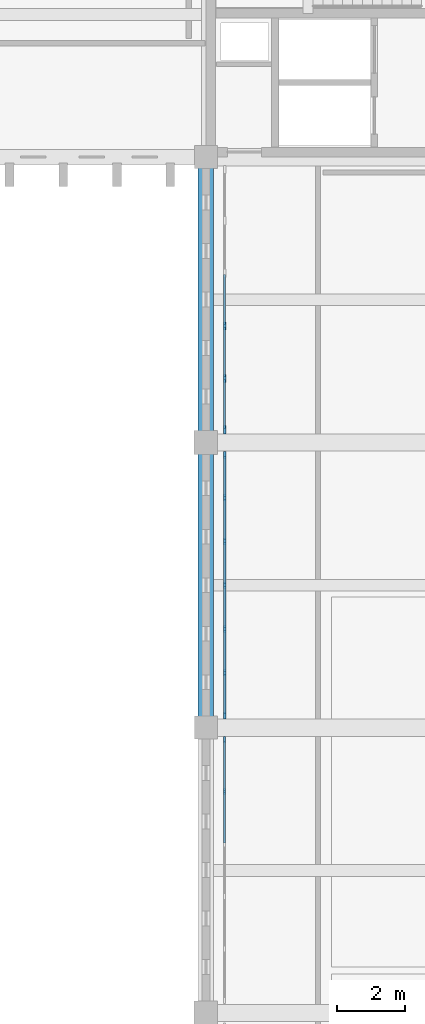
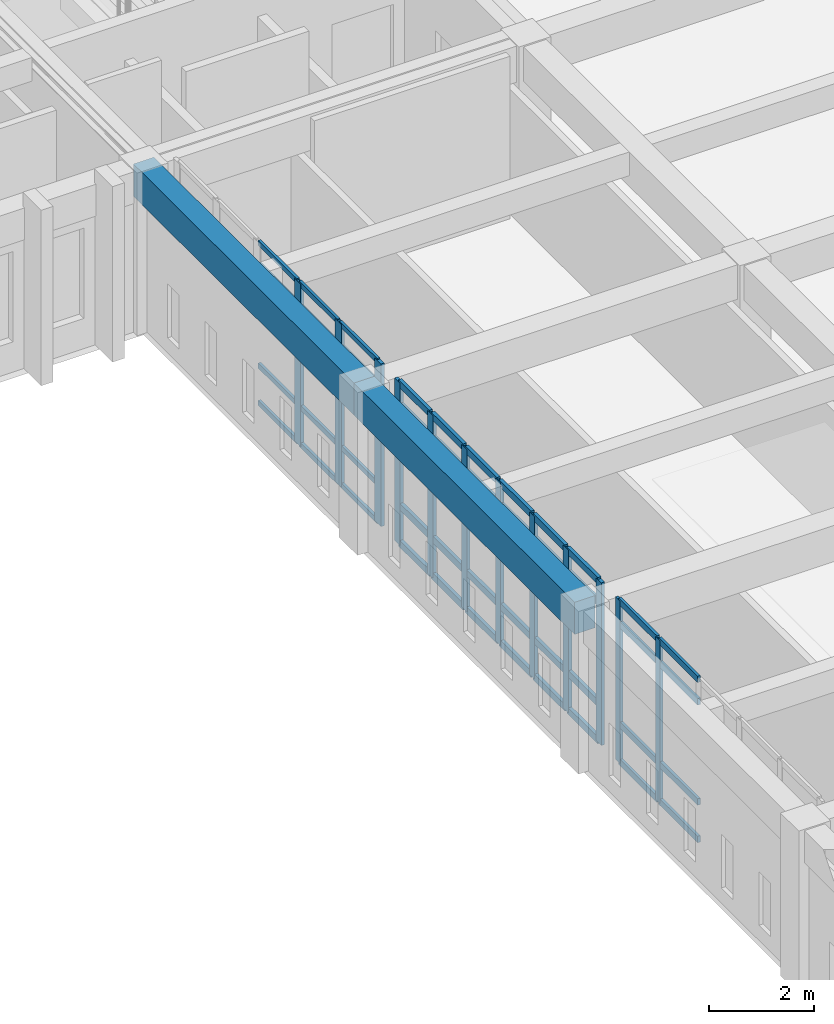
# One storey, part 33 of 110: 56 members, 2 beams, 3 elements without a shape of their own.
"""IFC4 building model written with IfcOpenShell, lengths in metres."""

from ifc_helpers import new_model, si_unit, direction, frame, origin, origin_2d, place, context, subcontext, project, spatial, rectangle, extrude, material, layer, layer_set, material_profile, profile_set, type_object, element, aggregate, save


model = new_model("IFC4")

# Units and contexts
model_context = context("Model", 3, precision=1e-05, world=origin(), true_north=direction((0.0, 1.0)))
body_context = subcontext(model_context, "Body", "Model", "MODEL_VIEW")
ifc_project = project(units=[si_unit("LENGTHUNIT", "METRE"), si_unit("AREAUNIT", "SQUARE_METRE"), si_unit("VOLUMEUNIT", "CUBIC_METRE"), si_unit("PLANEANGLEUNIT", "RADIAN"), si_unit("MASSUNIT", "GRAM", prefix="KILO")], contexts=[model_context])

# Site, building, storey
site_placement = place(None, origin())
site = spatial("IfcSite", under=ifc_project, at=site_placement, CompositionType="ELEMENT")
building_placement = place(site_placement, origin())
building = spatial("IfcBuilding", under=site, at=building_placement, Name="Kveldsbrygga Polytechnic", CompositionType="ELEMENT")
storey_placement = place(building_placement, frame((0.0, 0.0, 9.860107421875)))
storey = spatial("IfcBuildingStorey", under=building, at=storey_placement, Name="L02", CompositionType="ELEMENT", Elevation=9.860107421875)

# Beams
ifc_material_1 = material(Name="Concrete C35/45", Category="concrete")
ifc_material_profile_1 = material_profile(ifc_material_1, rectangle(XDim=0.449951171875, YDim=0.75, at=origin_2d()), Name="RC 450x750")
ifc_profile_set_1 = profile_set([ifc_material_profile_1], Name="Concrete C35/45")
beam_type = type_object("IfcBeamType", Name="BM-RC-450x750", PredefinedType="BEAM", material=ifc_profile_set_1)
beam_1_placement = place(storey_placement, frame((126.0, 67.199951171875, 3.375), z_axis=(0.0, 1.0, 0.0), x_axis=(-1.0, 0.0, 0.0)))
element("IfcBeam", 1, at=beam_1_placement, inside=storey, type_object=beam_type, Name="Primary Beam BMY-L02-15-08to09", PredefinedType="BEAM", context=body_context, shape_type="SweptSolid", body=[
    extrude(rectangle(XDim=0.449951171875, YDim=0.75, at=origin_2d()), origin(), (0.0, 0.0, 1.0), 8.400146484375),
])
beam_2_placement = place(storey_placement, frame((126.0, 75.60009765625, 3.375), z_axis=(0.0, 1.0, 0.0), x_axis=(-1.0, 0.0, 0.0)))
element("IfcBeam", 2, at=beam_2_placement, inside=storey, type_object=beam_type, Name="Primary Beam BMY-L02-15-09to10", PredefinedType="BEAM", context=body_context, shape_type="SweptSolid", body=[
    extrude(rectangle(XDim=0.449951171875, YDim=0.75, at=origin_2d()), origin(), (0.0, 0.0, 1.0), 8.39990234375),
])

# Curtain wall, members
ifc_material_2 = material(Name="Anodised aluminium AW-6060", Category="aluminium")
ifc_layer_1 = layer(ifc_material_2, 0.199951171875)
ifc_layer_set_1 = layer_set([ifc_layer_1], Name="Anodised aluminium AW-6060")
curtain_wall_type_1 = type_object("IfcCurtainWallType", Name="CW-CONC-B", PredefinedType="USERDEFINED", material=ifc_layer_set_1)
curtain_wall_1_placement = place(storey_placement, origin())
curtain_wall_1 = element("IfcCurtainWall", 3, at=curtain_wall_1_placement, inside=storey, type_object=curtain_wall_type_1, Name="Curtain Wall CW-L02-Y-15-07", ObjectType="UNITISED CURTAIN WALL", PredefinedType="USERDEFINED")
ifc_material_profile_2 = material_profile(ifc_material_2, rectangle(XDim=0.06005859375, YDim=0.179931640625, at=origin_2d()), Name="ALU 60x180")
ifc_profile_set_2 = profile_set([ifc_material_profile_2], Name="Anodised aluminium AW-6060")
member_type_1 = type_object("IfcMemberType", Name="CW-MUL-180", PredefinedType="MULLION", material=ifc_profile_set_2)
member_1_placement = place(storey_placement, frame((126.550048828125, 65.326904296875, 0.0), z_axis=(0.0, 0.0, 1.0), x_axis=(-1.0, 0.0, 0.0)))
member_1 = element("IfcMember", 4, at=member_1_placement, type_object=member_type_1, Name="CW-02 mullion 5", PredefinedType="MULLION", context=body_context, shape_type="SweptSolid", body=[
    extrude(rectangle(XDim=0.06005859375, YDim=0.179931640625, at=origin_2d()), origin(), (0.0, 0.0, 1.0), 3.77978515625),
])
member_2_placement = place(storey_placement, frame((126.550048828125, 66.844970703125, 0.0), z_axis=(0.0, 0.0, 1.0), x_axis=(-1.0, 0.0, 0.0)))
member_2 = element("IfcMember", 5, at=member_2_placement, type_object=member_type_1, Name="CW-02 mullion 6", PredefinedType="MULLION", context=body_context, shape_type="SweptSolid", body=[
    extrude(rectangle(XDim=0.06005859375, YDim=0.179931640625, at=origin_2d()), origin(), (0.0, 0.0, 1.0), 3.77978515625),
])

ifc_layer_2 = layer(ifc_material_2, 0.159912109375)
ifc_layer_set_2 = layer_set([ifc_layer_2], Name="Anodised aluminium AW-6060")
curtain_wall_type_2 = type_object("IfcCurtainWallType", Name="CW-CLER-C", PredefinedType="USERDEFINED", material=ifc_layer_set_2)
curtain_wall_2_placement = place(storey_placement, origin())
curtain_wall_2 = element("IfcCurtainWall", 6, at=curtain_wall_2_placement, inside=storey, type_object=curtain_wall_type_2, Name="Curtain Wall CW-L02-Y-15-08", ObjectType="STICK CURTAIN WALL", PredefinedType="USERDEFINED")
ifc_material_profile_3 = material_profile(ifc_material_2, rectangle(XDim=0.074951171875, YDim=0.199951171875, at=origin_2d()), Name="ALU 75x200")
ifc_profile_set_3 = profile_set([ifc_material_profile_3], Name="Anodised aluminium AW-6060")
member_type_2 = type_object("IfcMemberType", Name="CW-MUL-200", PredefinedType="MULLION", material=ifc_profile_set_3)
member_3_placement = place(storey_placement, frame((126.550048828125, 67.5625, 0.0), z_axis=(0.0, 0.0, 1.0), x_axis=(-1.0, 0.0, 0.0)))
member_3 = element("IfcMember", 7, at=member_3_placement, type_object=member_type_2, Name="CW-03 mullion 1", PredefinedType="MULLION", context=body_context, shape_type="SweptSolid", body=[
    extrude(rectangle(XDim=0.074951171875, YDim=0.199951171875, at=origin_2d()), origin(), (0.0, 0.0, 1.0), 3.77978515625),
])
member_4_placement = place(storey_placement, frame((126.550048828125, 68.81494140625, 0.0), z_axis=(0.0, 0.0, 1.0), x_axis=(-1.0, 0.0, 0.0)))
member_4 = element("IfcMember", 8, at=member_4_placement, type_object=member_type_2, Name="CW-03 mullion 2", PredefinedType="MULLION", context=body_context, shape_type="SweptSolid", body=[
    extrude(rectangle(XDim=0.074951171875, YDim=0.199951171875, at=origin_2d()), origin(), (0.0, 0.0, 1.0), 3.77978515625),
])
member_5_placement = place(storey_placement, frame((126.550048828125, 70.10498046875, 0.0), z_axis=(0.0, 0.0, 1.0), x_axis=(-1.0, 0.0, 0.0)))
member_5 = element("IfcMember", 9, at=member_5_placement, type_object=member_type_2, Name="CW-03 mullion 3", PredefinedType="MULLION", context=body_context, shape_type="SweptSolid", body=[
    extrude(rectangle(XDim=0.074951171875, YDim=0.199951171875, at=origin_2d()), origin(), (0.0, 0.0, 1.0), 3.77978515625),
])
member_6_placement = place(storey_placement, frame((126.550048828125, 71.39501953125, 0.0), z_axis=(0.0, 0.0, 1.0), x_axis=(-1.0, 0.0, 0.0)))
member_6 = element("IfcMember", 10, at=member_6_placement, type_object=member_type_2, Name="CW-03 mullion 4", PredefinedType="MULLION", context=body_context, shape_type="SweptSolid", body=[
    extrude(rectangle(XDim=0.074951171875, YDim=0.199951171875, at=origin_2d()), origin(), (0.0, 0.0, 1.0), 3.77978515625),
])
member_7_placement = place(storey_placement, frame((126.550048828125, 72.68505859375, 0.0), z_axis=(0.0, 0.0, 1.0), x_axis=(-1.0, 0.0, 0.0)))
member_7 = element("IfcMember", 11, at=member_7_placement, type_object=member_type_2, Name="CW-03 mullion 5", PredefinedType="MULLION", context=body_context, shape_type="SweptSolid", body=[
    extrude(rectangle(XDim=0.074951171875, YDim=0.199951171875, at=origin_2d()), origin(), (0.0, 0.0, 1.0), 3.77978515625),
])
member_8_placement = place(storey_placement, frame((126.550048828125, 73.97509765625, 0.0), z_axis=(0.0, 0.0, 1.0), x_axis=(-1.0, 0.0, 0.0)))
member_8 = element("IfcMember", 12, at=member_8_placement, type_object=member_type_2, Name="CW-03 mullion 6", PredefinedType="MULLION", context=body_context, shape_type="SweptSolid", body=[
    extrude(rectangle(XDim=0.074951171875, YDim=0.199951171875, at=origin_2d()), origin(), (0.0, 0.0, 1.0), 3.77978515625),
])
member_9_placement = place(storey_placement, frame((126.550048828125, 75.2275390625, 0.0), z_axis=(0.0, 0.0, 1.0), x_axis=(-1.0, 0.0, 0.0)))
member_9 = element("IfcMember", 13, at=member_9_placement, type_object=member_type_2, Name="CW-03 mullion 7", PredefinedType="MULLION", context=body_context, shape_type="SweptSolid", body=[
    extrude(rectangle(XDim=0.074951171875, YDim=0.199951171875, at=origin_2d()), origin(), (0.0, 0.0, 1.0), 3.77978515625),
])

ifc_layer_3 = layer(ifc_material_2, 0.179931640625)
ifc_layer_set_3 = layer_set([ifc_layer_3], Name="Anodised aluminium AW-6060")
curtain_wall_type_3 = type_object("IfcCurtainWallType", Name="CW-LANC-D", PredefinedType="USERDEFINED", material=ifc_layer_set_3)
curtain_wall_3_placement = place(storey_placement, origin())
curtain_wall_3 = element("IfcCurtainWall", 14, at=curtain_wall_3_placement, inside=storey, type_object=curtain_wall_type_3, Name="Curtain Wall CW-L02-Y-15-09", ObjectType="UNITISED CURTAIN WALL", PredefinedType="USERDEFINED")
ifc_material_profile_4 = material_profile(ifc_material_2, rectangle(XDim=0.074951171875, YDim=0.239990234375, at=origin_2d()), Name="ALU 75x240")
ifc_profile_set_4 = profile_set([ifc_material_profile_4], Name="Anodised aluminium AW-6060")
member_type_3 = type_object("IfcMemberType", Name="CW-MUL-240", PredefinedType="MULLION", material=ifc_profile_set_4)
member_10_placement = place(storey_placement, frame((126.550048828125, 75.972412109375, 0.0), z_axis=(0.0, 0.0, 1.0), x_axis=(-1.0, 0.0, 0.0)))
member_10 = element("IfcMember", 15, at=member_10_placement, type_object=member_type_3, Name="CW-04 mullion 1", PredefinedType="MULLION", context=body_context, shape_type="SweptSolid", body=[
    extrude(rectangle(XDim=0.074951171875, YDim=0.239990234375, at=origin_2d()), origin(), (0.0, 0.0, 1.0), 3.77978515625),
])
member_11_placement = place(storey_placement, frame((126.550048828125, 77.48291015625, 0.0), z_axis=(0.0, 0.0, 1.0), x_axis=(-1.0, 0.0, 0.0)))
member_11 = element("IfcMember", 16, at=member_11_placement, type_object=member_type_3, Name="CW-04 mullion 2", PredefinedType="MULLION", context=body_context, shape_type="SweptSolid", body=[
    extrude(rectangle(XDim=0.074951171875, YDim=0.239990234375, at=origin_2d()), origin(), (0.0, 0.0, 1.0), 3.77978515625),
])
member_12_placement = place(storey_placement, frame((126.550048828125, 79.031005859375, 0.0), z_axis=(0.0, 0.0, 1.0), x_axis=(-1.0, 0.0, 0.0)))
member_12 = element("IfcMember", 17, at=member_12_placement, type_object=member_type_3, Name="CW-04 mullion 3", PredefinedType="MULLION", context=body_context, shape_type="SweptSolid", body=[
    extrude(rectangle(XDim=0.074951171875, YDim=0.239990234375, at=origin_2d()), origin(), (0.0, 0.0, 1.0), 3.77978515625),
])
ifc_material_profile_5 = material_profile(ifc_material_2, rectangle(XDim=0.06005859375, YDim=0.1201171875, at=origin_2d()), Name="ALU 60x120")
ifc_profile_set_5 = profile_set([ifc_material_profile_5], Name="Anodised aluminium AW-6060")
member_type_4 = type_object("IfcMemberType", Name="CW-TRN-120", PredefinedType="USERDEFINED", material=ifc_profile_set_5)
member_13_placement = place(storey_placement, frame((126.550048828125, 76.010009765625, 0.02978515625), z_axis=(0.0, 1.0, 0.0), x_axis=(-1.0, 0.0, 0.0)))
member_13 = element("IfcMember", 18, at=member_13_placement, type_object=member_type_4, Name="CW-04 transom 1.1", ObjectType="TRANSOM", PredefinedType="USERDEFINED", context=body_context, shape_type="SweptSolid", body=[
    extrude(rectangle(XDim=0.06005859375, YDim=0.1201171875, at=origin_2d()), origin(), (0.0, 0.0, 1.0), 1.435546875),
])
member_14_placement = place(storey_placement, frame((126.550048828125, 76.010009765625, 0.89990234375), z_axis=(0.0, 1.0, 0.0), x_axis=(-1.0, 0.0, 0.0)))
member_14 = element("IfcMember", 19, at=member_14_placement, type_object=member_type_4, Name="CW-04 transom 1.2", ObjectType="TRANSOM", PredefinedType="USERDEFINED", context=body_context, shape_type="SweptSolid", body=[
    extrude(rectangle(XDim=0.06005859375, YDim=0.1201171875, at=origin_2d()), origin(), (0.0, 0.0, 1.0), 1.435546875),
])
member_15_placement = place(storey_placement, frame((126.550048828125, 76.010009765625, 3.22998046875), z_axis=(0.0, 1.0, 0.0), x_axis=(-1.0, 0.0, 0.0)))
member_15 = element("IfcMember", 20, at=member_15_placement, type_object=member_type_4, Name="CW-04 transom 1.3", ObjectType="TRANSOM", PredefinedType="USERDEFINED", context=body_context, shape_type="SweptSolid", body=[
    extrude(rectangle(XDim=0.06005859375, YDim=0.1201171875, at=origin_2d()), origin(), (0.0, 0.0, 1.0), 1.435546875),
])
member_16_placement = place(storey_placement, frame((126.550048828125, 76.010009765625, 3.75), z_axis=(0.0, 1.0, 0.0), x_axis=(-1.0, 0.0, 0.0)))
member_16 = element("IfcMember", 21, at=member_16_placement, type_object=member_type_4, Name="CW-04 transom 1.4", ObjectType="TRANSOM", PredefinedType="USERDEFINED", context=body_context, shape_type="SweptSolid", body=[
    extrude(rectangle(XDim=0.06005859375, YDim=0.1201171875, at=origin_2d()), origin(), (0.0, 0.0, 1.0), 1.435546875),
])
member_17_placement = place(storey_placement, frame((126.550048828125, 77.5205078125, 0.02978515625), z_axis=(0.0, 1.0, 0.0), x_axis=(-1.0, 0.0, 0.0)))
member_17 = element("IfcMember", 22, at=member_17_placement, type_object=member_type_4, Name="CW-04 transom 2.1", ObjectType="TRANSOM", PredefinedType="USERDEFINED", context=body_context, shape_type="SweptSolid", body=[
    extrude(rectangle(XDim=0.06005859375, YDim=0.1201171875, at=origin_2d()), origin(), (0.0, 0.0, 1.0), 1.472900390625),
])
member_18_placement = place(storey_placement, frame((126.550048828125, 77.5205078125, 0.89990234375), z_axis=(0.0, 1.0, 0.0), x_axis=(-1.0, 0.0, 0.0)))
member_18 = element("IfcMember", 23, at=member_18_placement, type_object=member_type_4, Name="CW-04 transom 2.2", ObjectType="TRANSOM", PredefinedType="USERDEFINED", context=body_context, shape_type="SweptSolid", body=[
    extrude(rectangle(XDim=0.06005859375, YDim=0.1201171875, at=origin_2d()), origin(), (0.0, 0.0, 1.0), 1.472900390625),
])
member_19_placement = place(storey_placement, frame((126.550048828125, 77.5205078125, 3.22998046875), z_axis=(0.0, 1.0, 0.0), x_axis=(-1.0, 0.0, 0.0)))
member_19 = element("IfcMember", 24, at=member_19_placement, type_object=member_type_4, Name="CW-04 transom 2.3", ObjectType="TRANSOM", PredefinedType="USERDEFINED", context=body_context, shape_type="SweptSolid", body=[
    extrude(rectangle(XDim=0.06005859375, YDim=0.1201171875, at=origin_2d()), origin(), (0.0, 0.0, 1.0), 1.472900390625),
])
member_20_placement = place(storey_placement, frame((126.550048828125, 77.5205078125, 3.75), z_axis=(0.0, 1.0, 0.0), x_axis=(-1.0, 0.0, 0.0)))
member_20 = element("IfcMember", 25, at=member_20_placement, type_object=member_type_4, Name="CW-04 transom 2.4", ObjectType="TRANSOM", PredefinedType="USERDEFINED", context=body_context, shape_type="SweptSolid", body=[
    extrude(rectangle(XDim=0.06005859375, YDim=0.1201171875, at=origin_2d()), origin(), (0.0, 0.0, 1.0), 1.472900390625),
])
member_21_placement = place(storey_placement, frame((126.550048828125, 79.068603515625, 0.02978515625), z_axis=(0.0, 1.0, 0.0), x_axis=(-1.0, 0.0, 0.0)))
member_21 = element("IfcMember", 26, at=member_21_placement, type_object=member_type_4, Name="CW-04 transom 3.1", ObjectType="TRANSOM", PredefinedType="USERDEFINED", context=body_context, shape_type="SweptSolid", body=[
    extrude(rectangle(XDim=0.06005859375, YDim=0.1201171875, at=origin_2d()), origin(), (0.0, 0.0, 1.0), 1.472900390625),
])
member_22_placement = place(storey_placement, frame((126.550048828125, 79.068603515625, 0.89990234375), z_axis=(0.0, 1.0, 0.0), x_axis=(-1.0, 0.0, 0.0)))
member_22 = element("IfcMember", 27, at=member_22_placement, type_object=member_type_4, Name="CW-04 transom 3.2", ObjectType="TRANSOM", PredefinedType="USERDEFINED", context=body_context, shape_type="SweptSolid", body=[
    extrude(rectangle(XDim=0.06005859375, YDim=0.1201171875, at=origin_2d()), origin(), (0.0, 0.0, 1.0), 1.472900390625),
])
member_23_placement = place(storey_placement, frame((126.550048828125, 79.068603515625, 3.22998046875), z_axis=(0.0, 1.0, 0.0), x_axis=(-1.0, 0.0, 0.0)))
member_23 = element("IfcMember", 28, at=member_23_placement, type_object=member_type_4, Name="CW-04 transom 3.3", ObjectType="TRANSOM", PredefinedType="USERDEFINED", context=body_context, shape_type="SweptSolid", body=[
    extrude(rectangle(XDim=0.06005859375, YDim=0.1201171875, at=origin_2d()), origin(), (0.0, 0.0, 1.0), 1.472900390625),
])
member_24_placement = place(storey_placement, frame((126.550048828125, 79.068603515625, 3.75), z_axis=(0.0, 1.0, 0.0), x_axis=(-1.0, 0.0, 0.0)))
member_24 = element("IfcMember", 29, at=member_24_placement, type_object=member_type_4, Name="CW-04 transom 3.4", ObjectType="TRANSOM", PredefinedType="USERDEFINED", context=body_context, shape_type="SweptSolid", body=[
    extrude(rectangle(XDim=0.06005859375, YDim=0.1201171875, at=origin_2d()), origin(), (0.0, 0.0, 1.0), 1.472900390625),
])
aggregate(curtain_wall_3, [member_10, member_11, member_12, member_13, member_14, member_15, member_16, member_17, member_18, member_19, member_20, member_21, member_22, member_23, member_24])

# Member
ifc_material_profile_6 = material_profile(ifc_material_2, rectangle(XDim=0.06005859375, YDim=0.14990234375, at=origin_2d()), Name="ALU 60x150")
ifc_profile_set_6 = profile_set([ifc_material_profile_6], Name="Anodised aluminium AW-6060")
member_type_5 = type_object("IfcMemberType", Name="CW-TRN-150", PredefinedType="USERDEFINED", material=ifc_profile_set_6)
member_25_placement = place(storey_placement, frame((126.550048828125, 63.80908203125, 0.02978515625), z_axis=(0.0, 1.0, 0.0), x_axis=(-1.0, 0.0, 0.0)))
member_25 = element("IfcMember", 30, at=member_25_placement, type_object=member_type_5, Name="CW-02 transom 4.1", ObjectType="TRANSOM", PredefinedType="USERDEFINED", context=body_context, shape_type="SweptSolid", body=[
    extrude(rectangle(XDim=0.06005859375, YDim=0.14990234375, at=origin_2d()), origin(), (0.0, 0.0, 1.0), 1.488037109375),
])

member_26_placement = place(storey_placement, frame((126.550048828125, 63.80908203125, 0.89990234375), z_axis=(0.0, 1.0, 0.0), x_axis=(-1.0, 0.0, 0.0)))
member_26 = element("IfcMember", 31, at=member_26_placement, type_object=member_type_5, Name="CW-02 transom 4.2", ObjectType="TRANSOM", PredefinedType="USERDEFINED", context=body_context, shape_type="SweptSolid", body=[
    extrude(rectangle(XDim=0.06005859375, YDim=0.14990234375, at=origin_2d()), origin(), (0.0, 0.0, 1.0), 1.488037109375),
])

member_27_placement = place(storey_placement, frame((126.550048828125, 63.80908203125, 3.22998046875), z_axis=(0.0, 1.0, 0.0), x_axis=(-1.0, 0.0, 0.0)))
member_27 = element("IfcMember", 32, at=member_27_placement, type_object=member_type_5, Name="CW-02 transom 4.3", ObjectType="TRANSOM", PredefinedType="USERDEFINED", context=body_context, shape_type="SweptSolid", body=[
    extrude(rectangle(XDim=0.06005859375, YDim=0.14990234375, at=origin_2d()), origin(), (0.0, 0.0, 1.0), 1.488037109375),
])

member_28_placement = place(storey_placement, frame((126.550048828125, 63.80908203125, 3.75), z_axis=(0.0, 1.0, 0.0), x_axis=(-1.0, 0.0, 0.0)))
member_28 = element("IfcMember", 33, at=member_28_placement, type_object=member_type_5, Name="CW-02 transom 4.4", ObjectType="TRANSOM", PredefinedType="USERDEFINED", context=body_context, shape_type="SweptSolid", body=[
    extrude(rectangle(XDim=0.06005859375, YDim=0.14990234375, at=origin_2d()), origin(), (0.0, 0.0, 1.0), 1.488037109375),
])

member_29_placement = place(storey_placement, frame((126.550048828125, 65.35693359375, 0.02978515625), z_axis=(0.0, 1.0, 0.0), x_axis=(-1.0, 0.0, 0.0)))
member_29 = element("IfcMember", 34, at=member_29_placement, type_object=member_type_5, Name="CW-02 transom 5.1", ObjectType="TRANSOM", PredefinedType="USERDEFINED", context=body_context, shape_type="SweptSolid", body=[
    extrude(rectangle(XDim=0.06005859375, YDim=0.14990234375, at=origin_2d()), origin(), (0.0, 0.0, 1.0), 1.4580078125),
])

member_30_placement = place(storey_placement, frame((126.550048828125, 65.35693359375, 0.89990234375), z_axis=(0.0, 1.0, 0.0), x_axis=(-1.0, 0.0, 0.0)))
member_30 = element("IfcMember", 35, at=member_30_placement, type_object=member_type_5, Name="CW-02 transom 5.2", ObjectType="TRANSOM", PredefinedType="USERDEFINED", context=body_context, shape_type="SweptSolid", body=[
    extrude(rectangle(XDim=0.06005859375, YDim=0.14990234375, at=origin_2d()), origin(), (0.0, 0.0, 1.0), 1.4580078125),
])

member_31_placement = place(storey_placement, frame((126.550048828125, 65.35693359375, 3.22998046875), z_axis=(0.0, 1.0, 0.0), x_axis=(-1.0, 0.0, 0.0)))
member_31 = element("IfcMember", 36, at=member_31_placement, type_object=member_type_5, Name="CW-02 transom 5.3", ObjectType="TRANSOM", PredefinedType="USERDEFINED", context=body_context, shape_type="SweptSolid", body=[
    extrude(rectangle(XDim=0.06005859375, YDim=0.14990234375, at=origin_2d()), origin(), (0.0, 0.0, 1.0), 1.4580078125),
])

member_32_placement = place(storey_placement, frame((126.550048828125, 65.35693359375, 3.75), z_axis=(0.0, 1.0, 0.0), x_axis=(-1.0, 0.0, 0.0)))
member_32 = element("IfcMember", 37, at=member_32_placement, type_object=member_type_5, Name="CW-02 transom 5.4", ObjectType="TRANSOM", PredefinedType="USERDEFINED", context=body_context, shape_type="SweptSolid", body=[
    extrude(rectangle(XDim=0.06005859375, YDim=0.14990234375, at=origin_2d()), origin(), (0.0, 0.0, 1.0), 1.4580078125),
])

aggregate(curtain_wall_1, [member_1, member_2, member_25, member_26, member_27, member_28, member_29, member_30, member_31, member_32])

ifc_material_profile_7 = material_profile(ifc_material_2, rectangle(XDim=0.074951171875, YDim=0.159912109375, at=origin_2d()), Name="ALU 75x160")
ifc_profile_set_7 = profile_set([ifc_material_profile_7], Name="Anodised aluminium AW-6060")
member_type_6 = type_object("IfcMemberType", Name="CW-TRN-160", PredefinedType="USERDEFINED", material=ifc_profile_set_7)
member_33_placement = place(storey_placement, frame((126.550048828125, 67.60009765625, 0.037353515625), z_axis=(0.0, 1.0, 0.0), x_axis=(-1.0, 0.0, 0.0)))
member_33 = element("IfcMember", 38, at=member_33_placement, type_object=member_type_6, Name="CW-03 transom 1.1", ObjectType="TRANSOM", PredefinedType="USERDEFINED", context=body_context, shape_type="SweptSolid", body=[
    extrude(rectangle(XDim=0.074951171875, YDim=0.159912109375, at=origin_2d()), origin(), (0.0, 0.0, 1.0), 1.177490234375),
])

member_34_placement = place(storey_placement, frame((126.550048828125, 67.60009765625, 0.89990234375), z_axis=(0.0, 1.0, 0.0), x_axis=(-1.0, 0.0, 0.0)))
member_34 = element("IfcMember", 39, at=member_34_placement, type_object=member_type_6, Name="CW-03 transom 1.2", ObjectType="TRANSOM", PredefinedType="USERDEFINED", context=body_context, shape_type="SweptSolid", body=[
    extrude(rectangle(XDim=0.074951171875, YDim=0.159912109375, at=origin_2d()), origin(), (0.0, 0.0, 1.0), 1.177490234375),
])

member_35_placement = place(storey_placement, frame((126.550048828125, 67.60009765625, 3.22998046875), z_axis=(0.0, 1.0, 0.0), x_axis=(-1.0, 0.0, 0.0)))
member_35 = element("IfcMember", 40, at=member_35_placement, type_object=member_type_6, Name="CW-03 transom 1.3", ObjectType="TRANSOM", PredefinedType="USERDEFINED", context=body_context, shape_type="SweptSolid", body=[
    extrude(rectangle(XDim=0.074951171875, YDim=0.159912109375, at=origin_2d()), origin(), (0.0, 0.0, 1.0), 1.177490234375),
])

member_36_placement = place(storey_placement, frame((126.550048828125, 67.60009765625, 3.742431640625), z_axis=(0.0, 1.0, 0.0), x_axis=(-1.0, 0.0, 0.0)))
member_36 = element("IfcMember", 41, at=member_36_placement, type_object=member_type_6, Name="CW-03 transom 1.4", ObjectType="TRANSOM", PredefinedType="USERDEFINED", context=body_context, shape_type="SweptSolid", body=[
    extrude(rectangle(XDim=0.074951171875, YDim=0.159912109375, at=origin_2d()), origin(), (0.0, 0.0, 1.0), 1.177490234375),
])

member_37_placement = place(storey_placement, frame((126.550048828125, 68.8525390625, 0.037353515625), z_axis=(0.0, 1.0, 0.0), x_axis=(-1.0, 0.0, 0.0)))
member_37 = element("IfcMember", 42, at=member_37_placement, type_object=member_type_6, Name="CW-03 transom 2.1", ObjectType="TRANSOM", PredefinedType="USERDEFINED", context=body_context, shape_type="SweptSolid", body=[
    extrude(rectangle(XDim=0.074951171875, YDim=0.159912109375, at=origin_2d()), origin(), (0.0, 0.0, 1.0), 1.21484375),
])

member_38_placement = place(storey_placement, frame((126.550048828125, 68.8525390625, 0.89990234375), z_axis=(0.0, 1.0, 0.0), x_axis=(-1.0, 0.0, 0.0)))
member_38 = element("IfcMember", 43, at=member_38_placement, type_object=member_type_6, Name="CW-03 transom 2.2", ObjectType="TRANSOM", PredefinedType="USERDEFINED", context=body_context, shape_type="SweptSolid", body=[
    extrude(rectangle(XDim=0.074951171875, YDim=0.159912109375, at=origin_2d()), origin(), (0.0, 0.0, 1.0), 1.21484375),
])

member_39_placement = place(storey_placement, frame((126.550048828125, 68.8525390625, 3.22998046875), z_axis=(0.0, 1.0, 0.0), x_axis=(-1.0, 0.0, 0.0)))
member_39 = element("IfcMember", 44, at=member_39_placement, type_object=member_type_6, Name="CW-03 transom 2.3", ObjectType="TRANSOM", PredefinedType="USERDEFINED", context=body_context, shape_type="SweptSolid", body=[
    extrude(rectangle(XDim=0.074951171875, YDim=0.159912109375, at=origin_2d()), origin(), (0.0, 0.0, 1.0), 1.21484375),
])

member_40_placement = place(storey_placement, frame((126.550048828125, 68.8525390625, 3.742431640625), z_axis=(0.0, 1.0, 0.0), x_axis=(-1.0, 0.0, 0.0)))
member_40 = element("IfcMember", 45, at=member_40_placement, type_object=member_type_6, Name="CW-03 transom 2.4", ObjectType="TRANSOM", PredefinedType="USERDEFINED", context=body_context, shape_type="SweptSolid", body=[
    extrude(rectangle(XDim=0.074951171875, YDim=0.159912109375, at=origin_2d()), origin(), (0.0, 0.0, 1.0), 1.21484375),
])

member_41_placement = place(storey_placement, frame((126.550048828125, 70.142578125, 0.037353515625), z_axis=(0.0, 1.0, 0.0), x_axis=(-1.0, 0.0, 0.0)))
member_41 = element("IfcMember", 46, at=member_41_placement, type_object=member_type_6, Name="CW-03 transom 3.1", ObjectType="TRANSOM", PredefinedType="USERDEFINED", context=body_context, shape_type="SweptSolid", body=[
    extrude(rectangle(XDim=0.074951171875, YDim=0.159912109375, at=origin_2d()), origin(), (0.0, 0.0, 1.0), 1.21484375),
])

member_42_placement = place(storey_placement, frame((126.550048828125, 70.142578125, 0.89990234375), z_axis=(0.0, 1.0, 0.0), x_axis=(-1.0, 0.0, 0.0)))
member_42 = element("IfcMember", 47, at=member_42_placement, type_object=member_type_6, Name="CW-03 transom 3.2", ObjectType="TRANSOM", PredefinedType="USERDEFINED", context=body_context, shape_type="SweptSolid", body=[
    extrude(rectangle(XDim=0.074951171875, YDim=0.159912109375, at=origin_2d()), origin(), (0.0, 0.0, 1.0), 1.21484375),
])

member_43_placement = place(storey_placement, frame((126.550048828125, 70.142578125, 3.22998046875), z_axis=(0.0, 1.0, 0.0), x_axis=(-1.0, 0.0, 0.0)))
member_43 = element("IfcMember", 48, at=member_43_placement, type_object=member_type_6, Name="CW-03 transom 3.3", ObjectType="TRANSOM", PredefinedType="USERDEFINED", context=body_context, shape_type="SweptSolid", body=[
    extrude(rectangle(XDim=0.074951171875, YDim=0.159912109375, at=origin_2d()), origin(), (0.0, 0.0, 1.0), 1.21484375),
])

member_44_placement = place(storey_placement, frame((126.550048828125, 70.142578125, 3.742431640625), z_axis=(0.0, 1.0, 0.0), x_axis=(-1.0, 0.0, 0.0)))
member_44 = element("IfcMember", 49, at=member_44_placement, type_object=member_type_6, Name="CW-03 transom 3.4", ObjectType="TRANSOM", PredefinedType="USERDEFINED", context=body_context, shape_type="SweptSolid", body=[
    extrude(rectangle(XDim=0.074951171875, YDim=0.159912109375, at=origin_2d()), origin(), (0.0, 0.0, 1.0), 1.21484375),
])

member_45_placement = place(storey_placement, frame((126.550048828125, 71.4326171875, 0.037353515625), z_axis=(0.0, 1.0, 0.0), x_axis=(-1.0, 0.0, 0.0)))
member_45 = element("IfcMember", 50, at=member_45_placement, type_object=member_type_6, Name="CW-03 transom 4.1", ObjectType="TRANSOM", PredefinedType="USERDEFINED", context=body_context, shape_type="SweptSolid", body=[
    extrude(rectangle(XDim=0.074951171875, YDim=0.159912109375, at=origin_2d()), origin(), (0.0, 0.0, 1.0), 1.21484375),
])

member_46_placement = place(storey_placement, frame((126.550048828125, 71.4326171875, 0.89990234375), z_axis=(0.0, 1.0, 0.0), x_axis=(-1.0, 0.0, 0.0)))
member_46 = element("IfcMember", 51, at=member_46_placement, type_object=member_type_6, Name="CW-03 transom 4.2", ObjectType="TRANSOM", PredefinedType="USERDEFINED", context=body_context, shape_type="SweptSolid", body=[
    extrude(rectangle(XDim=0.074951171875, YDim=0.159912109375, at=origin_2d()), origin(), (0.0, 0.0, 1.0), 1.21484375),
])

member_47_placement = place(storey_placement, frame((126.550048828125, 71.4326171875, 3.22998046875), z_axis=(0.0, 1.0, 0.0), x_axis=(-1.0, 0.0, 0.0)))
member_47 = element("IfcMember", 52, at=member_47_placement, type_object=member_type_6, Name="CW-03 transom 4.3", ObjectType="TRANSOM", PredefinedType="USERDEFINED", context=body_context, shape_type="SweptSolid", body=[
    extrude(rectangle(XDim=0.074951171875, YDim=0.159912109375, at=origin_2d()), origin(), (0.0, 0.0, 1.0), 1.21484375),
])

member_48_placement = place(storey_placement, frame((126.550048828125, 71.4326171875, 3.742431640625), z_axis=(0.0, 1.0, 0.0), x_axis=(-1.0, 0.0, 0.0)))
member_48 = element("IfcMember", 53, at=member_48_placement, type_object=member_type_6, Name="CW-03 transom 4.4", ObjectType="TRANSOM", PredefinedType="USERDEFINED", context=body_context, shape_type="SweptSolid", body=[
    extrude(rectangle(XDim=0.074951171875, YDim=0.159912109375, at=origin_2d()), origin(), (0.0, 0.0, 1.0), 1.21484375),
])

member_49_placement = place(storey_placement, frame((126.550048828125, 72.722412109375, 0.037353515625), z_axis=(0.0, 1.0, 0.0), x_axis=(-1.0, 0.0, 0.0)))
member_49 = element("IfcMember", 54, at=member_49_placement, type_object=member_type_6, Name="CW-03 transom 5.1", ObjectType="TRANSOM", PredefinedType="USERDEFINED", context=body_context, shape_type="SweptSolid", body=[
    extrude(rectangle(XDim=0.074951171875, YDim=0.159912109375, at=origin_2d()), origin(), (0.0, 0.0, 1.0), 1.215087890625),
])

member_50_placement = place(storey_placement, frame((126.550048828125, 72.722412109375, 0.89990234375), z_axis=(0.0, 1.0, 0.0), x_axis=(-1.0, 0.0, 0.0)))
member_50 = element("IfcMember", 55, at=member_50_placement, type_object=member_type_6, Name="CW-03 transom 5.2", ObjectType="TRANSOM", PredefinedType="USERDEFINED", context=body_context, shape_type="SweptSolid", body=[
    extrude(rectangle(XDim=0.074951171875, YDim=0.159912109375, at=origin_2d()), origin(), (0.0, 0.0, 1.0), 1.215087890625),
])

member_51_placement = place(storey_placement, frame((126.550048828125, 72.722412109375, 3.22998046875), z_axis=(0.0, 1.0, 0.0), x_axis=(-1.0, 0.0, 0.0)))
member_51 = element("IfcMember", 56, at=member_51_placement, type_object=member_type_6, Name="CW-03 transom 5.3", ObjectType="TRANSOM", PredefinedType="USERDEFINED", context=body_context, shape_type="SweptSolid", body=[
    extrude(rectangle(XDim=0.074951171875, YDim=0.159912109375, at=origin_2d()), origin(), (0.0, 0.0, 1.0), 1.215087890625),
])

member_52_placement = place(storey_placement, frame((126.550048828125, 72.722412109375, 3.742431640625), z_axis=(0.0, 1.0, 0.0), x_axis=(-1.0, 0.0, 0.0)))
member_52 = element("IfcMember", 57, at=member_52_placement, type_object=member_type_6, Name="CW-03 transom 5.4", ObjectType="TRANSOM", PredefinedType="USERDEFINED", context=body_context, shape_type="SweptSolid", body=[
    extrude(rectangle(XDim=0.074951171875, YDim=0.159912109375, at=origin_2d()), origin(), (0.0, 0.0, 1.0), 1.215087890625),
])

member_53_placement = place(storey_placement, frame((126.550048828125, 74.012451171875, 0.037353515625), z_axis=(0.0, 1.0, 0.0), x_axis=(-1.0, 0.0, 0.0)))
member_53 = element("IfcMember", 58, at=member_53_placement, type_object=member_type_6, Name="CW-03 transom 6.1", ObjectType="TRANSOM", PredefinedType="USERDEFINED", context=body_context, shape_type="SweptSolid", body=[
    extrude(rectangle(XDim=0.074951171875, YDim=0.159912109375, at=origin_2d()), origin(), (0.0, 0.0, 1.0), 1.177490234375),
])

member_54_placement = place(storey_placement, frame((126.550048828125, 74.012451171875, 0.89990234375), z_axis=(0.0, 1.0, 0.0), x_axis=(-1.0, 0.0, 0.0)))
member_54 = element("IfcMember", 59, at=member_54_placement, type_object=member_type_6, Name="CW-03 transom 6.2", ObjectType="TRANSOM", PredefinedType="USERDEFINED", context=body_context, shape_type="SweptSolid", body=[
    extrude(rectangle(XDim=0.074951171875, YDim=0.159912109375, at=origin_2d()), origin(), (0.0, 0.0, 1.0), 1.177490234375),
])

member_55_placement = place(storey_placement, frame((126.550048828125, 74.012451171875, 3.22998046875), z_axis=(0.0, 1.0, 0.0), x_axis=(-1.0, 0.0, 0.0)))
member_55 = element("IfcMember", 60, at=member_55_placement, type_object=member_type_6, Name="CW-03 transom 6.3", ObjectType="TRANSOM", PredefinedType="USERDEFINED", context=body_context, shape_type="SweptSolid", body=[
    extrude(rectangle(XDim=0.074951171875, YDim=0.159912109375, at=origin_2d()), origin(), (0.0, 0.0, 1.0), 1.177490234375),
])

member_56_placement = place(storey_placement, frame((126.550048828125, 74.012451171875, 3.742431640625), z_axis=(0.0, 1.0, 0.0), x_axis=(-1.0, 0.0, 0.0)))
member_56 = element("IfcMember", 61, at=member_56_placement, type_object=member_type_6, Name="CW-03 transom 6.4", ObjectType="TRANSOM", PredefinedType="USERDEFINED", context=body_context, shape_type="SweptSolid", body=[
    extrude(rectangle(XDim=0.074951171875, YDim=0.159912109375, at=origin_2d()), origin(), (0.0, 0.0, 1.0), 1.177490234375),
])

aggregate(curtain_wall_2, [member_3, member_4, member_5, member_6, member_7, member_8, member_9, member_33, member_34, member_35, member_36, member_37, member_38, member_39, member_40, member_41, member_42, member_43, member_44, member_45, member_46, member_47, member_48, member_49, member_50, member_51, member_52, member_53, member_54, member_55, member_56])

save(model, "model.ifc")
